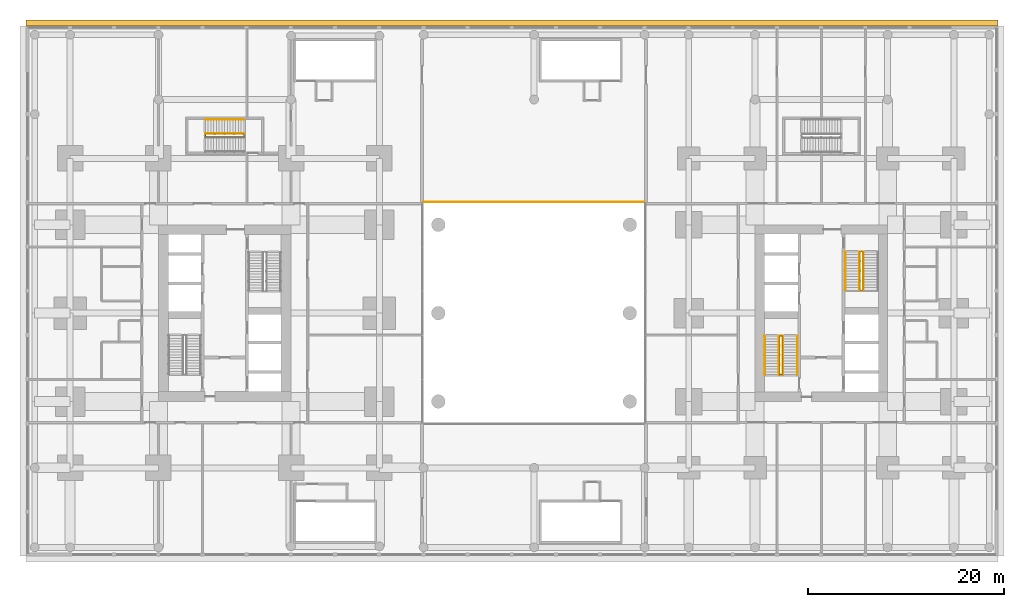
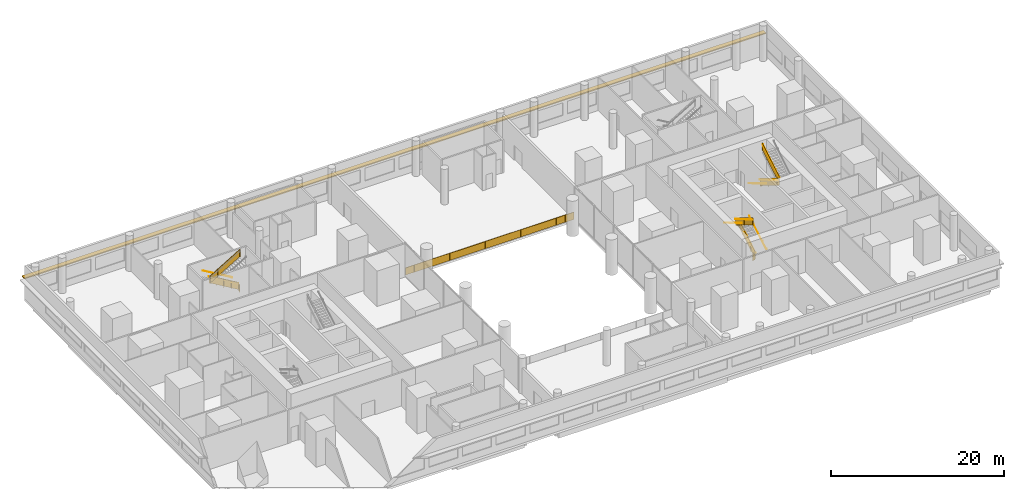
# One storey, part 19 of 20: 13 railings, 1 shading device.
"""IFC4 building model written with IfcOpenShell, lengths in metres."""

from ifc_helpers import new_model, si_unit, direction, frame, origin, origin_2d, place, context, subcontext, project, spatial, polyline, rectangle, circle, outline, extrude, material, layer, layer_set, type_object, element, save


model = new_model("IFC4")

# Units and contexts
model_context = context("Model", 3, precision=1e-05, world=origin(), true_north=direction((0.0, 1.0)))
body_context = subcontext(model_context, "Body", "Model", "MODEL_VIEW")
ifc_project = project(units=[si_unit("LENGTHUNIT", "METRE"), si_unit("AREAUNIT", "SQUARE_METRE"), si_unit("VOLUMEUNIT", "CUBIC_METRE"), si_unit("PLANEANGLEUNIT", "RADIAN"), si_unit("MASSUNIT", "GRAM", prefix="KILO")], contexts=[model_context])

# Site, building, storey
site_placement = place(None, origin())
site = spatial("IfcSite", under=ifc_project, at=site_placement, CompositionType="ELEMENT")
building_placement = place(site_placement, origin())
building = spatial("IfcBuilding", under=site, at=building_placement, Name="Namib Vertical Campus", CompositionType="ELEMENT")
storey_placement = place(building_placement, frame((0.0, 0.0, 16.0)))
storey = spatial("IfcBuildingStorey", under=building, at=storey_placement, Name="L03", CompositionType="ELEMENT", Elevation=16.0)

# Railings
ifc_material_1 = material(Name="Toughened glass balustrade", Category="glass")
railing_type_1 = type_object("IfcRailingType", Name="Edge guard 1100", PredefinedType="GUARDRAIL", material=ifc_material_1)
railing_1_placement = place(storey_placement, frame((40.5, 31.550048828125, 0.0)))
element("IfcRailing", 1, at=railing_1_placement, inside=storey, type_object=railing_type_1, Name="Atrium edge guard GR2 L03 N", PredefinedType="GUARDRAIL", context=body_context, shape_type="SweptSolid", body=[
    extrude(circle(Radius=0.02392578125, at=origin_2d()), frame((0.0, 0.0, 1.076171875), z_axis=(1.0, 0.0, 0.0), x_axis=(0.0, 1.0, 0.0)), (0.0, 0.0, 1.0), 22.5),
    extrude(outline(polyline([(0.02099609375, 0.050048828125), (22.47900390625, 0.050048828125), (22.47900390625, 1.052001953125), (0.02099609375, 1.052001953125), (0.02099609375, 0.050048828125)])), frame((0.0, 0.0107421875, 0.0), z_axis=(0.0, -1.0, 0.0), x_axis=(1.0, 0.0, 0.0)), (0.0, 0.0, 1.0), 0.021484375),
    extrude(circle(Radius=0.02099609375, at=origin_2d()), origin(), (0.0, 0.0, 1.0), 1.052001953125),
    extrude(circle(Radius=0.02099609375, at=origin_2d()), frame((1.184326171875, 0.0, 0.0)), (0.0, 0.0, 1.0), 1.052001953125),
    extrude(circle(Radius=0.02099609375, at=origin_2d()), frame((2.368408203125, 0.0, 0.0)), (0.0, 0.0, 1.0), 1.052001953125),
    extrude(circle(Radius=0.02099609375, at=origin_2d()), frame((3.552734375, 0.0, 0.0)), (0.0, 0.0, 1.0), 1.052001953125),
    extrude(circle(Radius=0.02099609375, at=origin_2d()), frame((4.73681640625, 0.0, 0.0)), (0.0, 0.0, 1.0), 1.052001953125),
    extrude(circle(Radius=0.02099609375, at=origin_2d()), frame((5.921142578125, 0.0, 0.0)), (0.0, 0.0, 1.0), 1.052001953125),
    extrude(circle(Radius=0.02099609375, at=origin_2d()), frame((7.105224609375, 0.0, 0.0)), (0.0, 0.0, 1.0), 1.052001953125),
    extrude(circle(Radius=0.02099609375, at=origin_2d()), frame((8.28955078125, 0.0, 0.0)), (0.0, 0.0, 1.0), 1.052001953125),
    extrude(circle(Radius=0.02099609375, at=origin_2d()), frame((9.4736328125, 0.0, 0.0)), (0.0, 0.0, 1.0), 1.052001953125),
    extrude(circle(Radius=0.02099609375, at=origin_2d()), frame((10.657958984375, 0.0, 0.0)), (0.0, 0.0, 1.0), 1.052001953125),
    extrude(circle(Radius=0.02099609375, at=origin_2d()), frame((11.842041015625, 0.0, 0.0)), (0.0, 0.0, 1.0), 1.052001953125),
    extrude(circle(Radius=0.02099609375, at=origin_2d()), frame((13.0263671875, 0.0, 0.0)), (0.0, 0.0, 1.0), 1.052001953125),
    extrude(circle(Radius=0.02099609375, at=origin_2d()), frame((14.21044921875, 0.0, 0.0)), (0.0, 0.0, 1.0), 1.052001953125),
    extrude(circle(Radius=0.02099609375, at=origin_2d()), frame((15.394775390625, 0.0, 0.0)), (0.0, 0.0, 1.0), 1.052001953125),
    extrude(circle(Radius=0.02099609375, at=origin_2d()), frame((16.578857421875, 0.0, 0.0)), (0.0, 0.0, 1.0), 1.052001953125),
    extrude(circle(Radius=0.02099609375, at=origin_2d()), frame((17.76318359375, 0.0, 0.0)), (0.0, 0.0, 1.0), 1.052001953125),
    extrude(circle(Radius=0.02099609375, at=origin_2d()), frame((18.947265625, 0.0, 0.0)), (0.0, 0.0, 1.0), 1.052001953125),
    extrude(circle(Radius=0.02099609375, at=origin_2d()), frame((20.131591796875, 0.0, 0.0)), (0.0, 0.0, 1.0), 1.052001953125),
    extrude(circle(Radius=0.02099609375, at=origin_2d()), frame((21.315673828125, 0.0, 0.0)), (0.0, 0.0, 1.0), 1.052001953125),
    extrude(circle(Radius=0.02099609375, at=origin_2d()), frame((22.5, 0.0, 0.0)), (0.0, 0.0, 1.0), 1.052001953125),
])
ifc_material_2 = material(Name="Steel handrail", Category="steel")
railing_type_2 = type_object("IfcRailingType", Name="Handrail 900", PredefinedType="HANDRAIL", material=ifc_material_2)
railing_2_placement = place(storey_placement, frame((78.550048828125, 14.0, 0.166748046875)))
element("IfcRailing", 2, at=railing_2_placement, inside=storey, type_object=railing_type_2, Name="Handrail HR1 B-S1 L03 1", PredefinedType="HANDRAIL", context=body_context, shape_type="SweptSolid", body=[
    extrude(circle(Radius=0.02392578125, at=origin_2d()), frame((0.0, 0.0, 0.8759765625), z_axis=(0.0, 0.859296244711, 0.511478214419), x_axis=(-1.0, 0.0, 0.0)), (0.0, 0.0, 1.0), 4.561767578125),
    extrude(circle(Radius=0.008056640625, at=origin_2d()), frame((0.0, 0.0, 0.8759765625), z_axis=(1.0, 0.0, 0.0), x_axis=(0.0, 0.0, 1.0)), (0.0, 0.0, 1.0), 0.050048828125),
    extrude(circle(Radius=0.008056640625, at=origin_2d()), frame((0.0, 0.97998046875, 1.459228515625), z_axis=(1.0, 0.0, 0.0), x_axis=(0.0, 0.0, 1.0)), (0.0, 0.0, 1.0), 0.050048828125),
    extrude(circle(Radius=0.008056640625, at=origin_2d()), frame((0.0, 1.9599609375, 2.04248046875), z_axis=(1.0, 0.0, 0.0), x_axis=(0.0, 0.0, 1.0)), (0.0, 0.0, 1.0), 0.050048828125),
    extrude(circle(Radius=0.008056640625, at=origin_2d()), frame((0.0, 2.93994140625, 2.625732421875), z_axis=(1.0, 0.0, 0.0), x_axis=(0.0, 0.0, 1.0)), (0.0, 0.0, 1.0), 0.050048828125),
    extrude(circle(Radius=0.008056640625, at=origin_2d()), frame((0.0, 3.919921875, 3.208984375), z_axis=(1.0, 0.0, 0.0), x_axis=(0.0, 0.0, 1.0)), (0.0, 0.0, 1.0), 0.050048828125),
])
railing_3_placement = place(storey_placement, frame((75.25, 17.919921875, 2.666748046875)))
element("IfcRailing", 3, at=railing_3_placement, inside=storey, type_object=railing_type_2, Name="Handrail HR1 B-S1 L03 2", PredefinedType="HANDRAIL", context=body_context, shape_type="SweptSolid", body=[
    extrude(circle(Radius=0.02392578125, at=origin_2d()), frame((0.0, 0.0, 0.8759765625), z_axis=(0.0, -0.859296244711, 0.511478214419), x_axis=(1.0, 0.0, 0.0)), (0.0, 0.0, 1.0), 4.561767578125),
    extrude(circle(Radius=0.008056640625, at=origin_2d()), frame((0.0, 0.0, 0.8759765625), z_axis=(-1.0, 0.0, 0.0), x_axis=(0.0, 0.0, 1.0)), (0.0, 0.0, 1.0), 0.050048828125),
    extrude(circle(Radius=0.008056640625, at=origin_2d()), frame((0.0, -0.97998046875, 1.459228515625), z_axis=(-1.0, 0.0, 0.0), x_axis=(0.0, 0.0, 1.0)), (0.0, 0.0, 1.0), 0.050048828125),
    extrude(circle(Radius=0.008056640625, at=origin_2d()), frame((0.0, -1.9599609375, 2.04248046875), z_axis=(-1.0, 0.0, 0.0), x_axis=(0.0, 0.0, 1.0)), (0.0, 0.0, 1.0), 0.050048828125),
    extrude(circle(Radius=0.008056640625, at=origin_2d()), frame((0.0, -2.93994140625, 2.625732421875), z_axis=(-1.0, 0.0, 0.0), x_axis=(0.0, 0.0, 1.0)), (0.0, 0.0, 1.0), 0.050048828125),
    extrude(circle(Radius=0.008056640625, at=origin_2d()), frame((0.0, -3.919921875, 3.208984375), z_axis=(-1.0, 0.0, 0.0), x_axis=(0.0, 0.0, 1.0)), (0.0, 0.0, 1.0), 0.050048828125),
])
railing_4_placement = place(storey_placement, frame((77.10009765625, 14.0, 0.166748046875)))
element("IfcRailing", 4, at=railing_4_placement, inside=storey, type_object=railing_type_2, Name="Handrail HR1 B-S1 L03 1 at the well", PredefinedType="HANDRAIL", context=body_context, shape_type="SweptSolid", body=[
    extrude(circle(Radius=0.02392578125, at=origin_2d()), frame((0.0, 0.0, 0.8759765625), z_axis=(0.0, 0.859296244711, 0.511478214419), x_axis=(-1.0, 0.0, 0.0)), (0.0, 0.0, 1.0), 4.561767578125),
    extrude(circle(Radius=0.008056640625, at=origin_2d()), frame((0.0, 0.0, 0.8759765625), z_axis=(-1.0, 0.0, 0.0), x_axis=(0.0, 0.0, 1.0)), (0.0, 0.0, 1.0), 0.0400390625),
    extrude(circle(Radius=0.008056640625, at=origin_2d()), frame((0.0, 0.97998046875, 1.459228515625), z_axis=(-1.0, 0.0, 0.0), x_axis=(0.0, 0.0, 1.0)), (0.0, 0.0, 1.0), 0.0400390625),
    extrude(circle(Radius=0.008056640625, at=origin_2d()), frame((0.0, 1.9599609375, 2.04248046875), z_axis=(-1.0, 0.0, 0.0), x_axis=(0.0, 0.0, 1.0)), (0.0, 0.0, 1.0), 0.0400390625),
    extrude(circle(Radius=0.008056640625, at=origin_2d()), frame((0.0, 2.93994140625, 2.625732421875), z_axis=(-1.0, 0.0, 0.0), x_axis=(0.0, 0.0, 1.0)), (0.0, 0.0, 1.0), 0.0400390625),
    extrude(circle(Radius=0.008056640625, at=origin_2d()), frame((0.0, 3.919921875, 3.208984375), z_axis=(-1.0, 0.0, 0.0), x_axis=(0.0, 0.0, 1.0)), (0.0, 0.0, 1.0), 0.0400390625),
])
railing_5_placement = place(storey_placement, frame((76.699951171875, 17.919921875, 2.666748046875)))
element("IfcRailing", 5, at=railing_5_placement, inside=storey, type_object=railing_type_2, Name="Handrail HR1 B-S1 L03 2 at the well", PredefinedType="HANDRAIL", context=body_context, shape_type="SweptSolid", body=[
    extrude(circle(Radius=0.02392578125, at=origin_2d()), frame((0.0, 0.0, 0.8759765625), z_axis=(0.0, -0.859296244711, 0.511478214419), x_axis=(1.0, 0.0, 0.0)), (0.0, 0.0, 1.0), 4.561767578125),
    extrude(circle(Radius=0.008056640625, at=origin_2d()), frame((0.0, 0.0, 0.8759765625), z_axis=(1.0, 0.0, 0.0), x_axis=(0.0, 0.0, 1.0)), (0.0, 0.0, 1.0), 0.0400390625),
    extrude(circle(Radius=0.008056640625, at=origin_2d()), frame((0.0, -0.97998046875, 1.459228515625), z_axis=(1.0, 0.0, 0.0), x_axis=(0.0, 0.0, 1.0)), (0.0, 0.0, 1.0), 0.0400390625),
    extrude(circle(Radius=0.008056640625, at=origin_2d()), frame((0.0, -1.9599609375, 2.04248046875), z_axis=(1.0, 0.0, 0.0), x_axis=(0.0, 0.0, 1.0)), (0.0, 0.0, 1.0), 0.0400390625),
    extrude(circle(Radius=0.008056640625, at=origin_2d()), frame((0.0, -2.93994140625, 2.625732421875), z_axis=(1.0, 0.0, 0.0), x_axis=(0.0, 0.0, 1.0)), (0.0, 0.0, 1.0), 0.0400390625),
    extrude(circle(Radius=0.008056640625, at=origin_2d()), frame((0.0, -3.919921875, 3.208984375), z_axis=(1.0, 0.0, 0.0), x_axis=(0.0, 0.0, 1.0)), (0.0, 0.0, 1.0), 0.0400390625),
])
railing_6_placement = place(storey_placement, frame((83.449951171875, 26.5, 0.166748046875)))
element("IfcRailing", 6, at=railing_6_placement, inside=storey, type_object=railing_type_2, Name="Handrail HR1 B-S2 L03 1", PredefinedType="HANDRAIL", context=body_context, shape_type="SweptSolid", body=[
    extrude(circle(Radius=0.02392578125, at=origin_2d()), frame((0.0, 0.0, 0.8759765625), z_axis=(0.0, -0.859296244711, 0.511478214419), x_axis=(1.0, 0.0, 0.0)), (0.0, 0.0, 1.0), 4.561767578125),
    extrude(circle(Radius=0.008056640625, at=origin_2d()), frame((0.0, 0.0, 0.8759765625), z_axis=(-1.0, 0.0, 0.0), x_axis=(0.0, 0.0, 1.0)), (0.0, 0.0, 1.0), 0.050048828125),
    extrude(circle(Radius=0.008056640625, at=origin_2d()), frame((0.0, -0.97998046875, 1.459228515625), z_axis=(-1.0, 0.0, 0.0), x_axis=(0.0, 0.0, 1.0)), (0.0, 0.0, 1.0), 0.050048828125),
    extrude(circle(Radius=0.008056640625, at=origin_2d()), frame((0.0, -1.9599609375, 2.04248046875), z_axis=(-1.0, 0.0, 0.0), x_axis=(0.0, 0.0, 1.0)), (0.0, 0.0, 1.0), 0.050048828125),
    extrude(circle(Radius=0.008056640625, at=origin_2d()), frame((0.0, -2.93994140625, 2.625732421875), z_axis=(-1.0, 0.0, 0.0), x_axis=(0.0, 0.0, 1.0)), (0.0, 0.0, 1.0), 0.050048828125),
    extrude(circle(Radius=0.008056640625, at=origin_2d()), frame((0.0, -3.919921875, 3.208984375), z_axis=(-1.0, 0.0, 0.0), x_axis=(0.0, 0.0, 1.0)), (0.0, 0.0, 1.0), 0.050048828125),
])
railing_7_placement = place(storey_placement, frame((84.89990234375, 26.5, 0.166748046875)))
element("IfcRailing", 7, at=railing_7_placement, inside=storey, type_object=railing_type_2, Name="Handrail HR1 B-S2 L03 1 at the well", PredefinedType="HANDRAIL", context=body_context, shape_type="SweptSolid", body=[
    extrude(circle(Radius=0.02392578125, at=origin_2d()), frame((0.0, 0.0, 0.8759765625), z_axis=(0.0, -0.859296244711, 0.511478214419), x_axis=(1.0, 0.0, 0.0)), (0.0, 0.0, 1.0), 4.561767578125),
    extrude(circle(Radius=0.008056640625, at=origin_2d()), frame((0.0, 0.0, 0.8759765625), z_axis=(1.0, 0.0, 0.0), x_axis=(0.0, 0.0, 1.0)), (0.0, 0.0, 1.0), 0.0400390625),
    extrude(circle(Radius=0.008056640625, at=origin_2d()), frame((0.0, -0.97998046875, 1.459228515625), z_axis=(1.0, 0.0, 0.0), x_axis=(0.0, 0.0, 1.0)), (0.0, 0.0, 1.0), 0.0400390625),
    extrude(circle(Radius=0.008056640625, at=origin_2d()), frame((0.0, -1.9599609375, 2.04248046875), z_axis=(1.0, 0.0, 0.0), x_axis=(0.0, 0.0, 1.0)), (0.0, 0.0, 1.0), 0.0400390625),
    extrude(circle(Radius=0.008056640625, at=origin_2d()), frame((0.0, -2.93994140625, 2.625732421875), z_axis=(1.0, 0.0, 0.0), x_axis=(0.0, 0.0, 1.0)), (0.0, 0.0, 1.0), 0.0400390625),
    extrude(circle(Radius=0.008056640625, at=origin_2d()), frame((0.0, -3.919921875, 3.208984375), z_axis=(1.0, 0.0, 0.0), x_axis=(0.0, 0.0, 1.0)), (0.0, 0.0, 1.0), 0.0400390625),
])
railing_8_placement = place(storey_placement, frame((85.300048828125, 22.580078125, 2.666748046875)))
element("IfcRailing", 8, at=railing_8_placement, inside=storey, type_object=railing_type_2, Name="Handrail HR1 B-S2 L03 2 at the well", PredefinedType="HANDRAIL", context=body_context, shape_type="SweptSolid", body=[
    extrude(circle(Radius=0.02392578125, at=origin_2d()), frame((0.0, 0.0, 0.8759765625), z_axis=(0.0, 0.859296244711, 0.511478214419), x_axis=(-1.0, 0.0, 0.0)), (0.0, 0.0, 1.0), 4.561767578125),
    extrude(circle(Radius=0.008056640625, at=origin_2d()), frame((0.0, 0.0, 0.8759765625), z_axis=(-1.0, 0.0, 0.0), x_axis=(0.0, 0.0, 1.0)), (0.0, 0.0, 1.0), 0.0400390625),
    extrude(circle(Radius=0.008056640625, at=origin_2d()), frame((0.0, 0.97998046875, 1.459228515625), z_axis=(-1.0, 0.0, 0.0), x_axis=(0.0, 0.0, 1.0)), (0.0, 0.0, 1.0), 0.0400390625),
    extrude(circle(Radius=0.008056640625, at=origin_2d()), frame((0.0, 1.9599609375, 2.04248046875), z_axis=(-1.0, 0.0, 0.0), x_axis=(0.0, 0.0, 1.0)), (0.0, 0.0, 1.0), 0.0400390625),
    extrude(circle(Radius=0.008056640625, at=origin_2d()), frame((0.0, 2.93994140625, 2.625732421875), z_axis=(-1.0, 0.0, 0.0), x_axis=(0.0, 0.0, 1.0)), (0.0, 0.0, 1.0), 0.0400390625),
    extrude(circle(Radius=0.008056640625, at=origin_2d()), frame((0.0, 3.919921875, 3.208984375), z_axis=(-1.0, 0.0, 0.0), x_axis=(0.0, 0.0, 1.0)), (0.0, 0.0, 1.0), 0.0400390625),
])
railing_9_placement = place(storey_placement, frame((22.199951171875, 39.949951171875, 0.166748046875)))
element("IfcRailing", 9, at=railing_9_placement, inside=storey, type_object=railing_type_2, Name="Handrail HR1 A-S3 L03 1", PredefinedType="HANDRAIL", context=body_context, shape_type="SweptSolid", body=[
    extrude(circle(Radius=0.02392578125, at=origin_2d()), frame((0.0, 0.0, 0.8759765625), z_axis=(-0.859296244711, 0.0, 0.511478214419), x_axis=(0.0, -1.0, 0.0)), (0.0, 0.0, 1.0), 4.561767578125),
    extrude(circle(Radius=0.008056640625, at=origin_2d()), frame((0.0, 0.0, 0.8759765625), z_axis=(0.0, 1.0, 0.0), x_axis=(0.0, 0.0, 1.0)), (0.0, 0.0, 1.0), 0.050048828125),
    extrude(circle(Radius=0.008056640625, at=origin_2d()), frame((-0.97998046875, 0.0, 1.459228515625), z_axis=(0.0, 1.0, 0.0), x_axis=(0.0, 0.0, 1.0)), (0.0, 0.0, 1.0), 0.050048828125),
    extrude(circle(Radius=0.008056640625, at=origin_2d()), frame((-1.9599609375, 0.0, 2.04248046875), z_axis=(0.0, 1.0, 0.0), x_axis=(0.0, 0.0, 1.0)), (0.0, 0.0, 1.0), 0.050048828125),
    extrude(circle(Radius=0.008056640625, at=origin_2d()), frame((-2.93994140625, 0.0, 2.625732421875), z_axis=(0.0, 1.0, 0.0), x_axis=(0.0, 0.0, 1.0)), (0.0, 0.0, 1.0), 0.050048828125),
    extrude(circle(Radius=0.008056640625, at=origin_2d()), frame((-3.919921875, 0.0, 3.208984375), z_axis=(0.0, 1.0, 0.0), x_axis=(0.0, 0.0, 1.0)), (0.0, 0.0, 1.0), 0.050048828125),
])
railing_10_placement = place(storey_placement, frame((22.199951171875, 38.52490234375, 0.166748046875)))
element("IfcRailing", 10, at=railing_10_placement, inside=storey, type_object=railing_type_2, Name="Handrail HR1 A-S3 L03 1 at the well", PredefinedType="HANDRAIL", context=body_context, shape_type="SweptSolid", body=[
    extrude(circle(Radius=0.02392578125, at=origin_2d()), frame((0.0, 0.0, 0.8759765625), z_axis=(-0.859296244711, 0.0, 0.511478214419), x_axis=(0.0, -1.0, 0.0)), (0.0, 0.0, 1.0), 4.561767578125),
    extrude(circle(Radius=0.008056640625, at=origin_2d()), frame((0.0, 0.0, 0.8759765625), z_axis=(0.0, -1.0, 0.0), x_axis=(0.0, 0.0, 1.0)), (0.0, 0.0, 1.0), 0.0400390625),
    extrude(circle(Radius=0.008056640625, at=origin_2d()), frame((-0.97998046875, 0.0, 1.459228515625), z_axis=(0.0, -1.0, 0.0), x_axis=(0.0, 0.0, 1.0)), (0.0, 0.0, 1.0), 0.0400390625),
    extrude(circle(Radius=0.008056640625, at=origin_2d()), frame((-1.9599609375, 0.0, 2.04248046875), z_axis=(0.0, -1.0, 0.0), x_axis=(0.0, 0.0, 1.0)), (0.0, 0.0, 1.0), 0.0400390625),
    extrude(circle(Radius=0.008056640625, at=origin_2d()), frame((-2.93994140625, 0.0, 2.625732421875), z_axis=(0.0, -1.0, 0.0), x_axis=(0.0, 0.0, 1.0)), (0.0, 0.0, 1.0), 0.0400390625),
    extrude(circle(Radius=0.008056640625, at=origin_2d()), frame((-3.919921875, 0.0, 3.208984375), z_axis=(0.0, -1.0, 0.0), x_axis=(0.0, 0.0, 1.0)), (0.0, 0.0, 1.0), 0.0400390625),
])
ifc_material_3 = material(Name="Steel balustrade", Category="steel")
railing_type_3 = type_object("IfcRailingType", Name="Stair guard 1100", PredefinedType="GUARDRAIL", material=ifc_material_3)
railing_11_placement = place(storey_placement, frame((76.75, 14.0, 0.0)))
element("IfcRailing", 11, at=railing_11_placement, inside=storey, type_object=railing_type_3, Name="Stair guard GR1 B-S1 L03", PredefinedType="GUARDRAIL", context=body_context, shape_type="SweptSolid", body=[
    extrude(circle(Radius=0.02392578125, at=origin_2d()), frame((0.0, 0.0, 1.076171875), z_axis=(1.0, 0.0, 0.0), x_axis=(0.0, 1.0, 0.0)), (0.0, 0.0, 1.0), 0.300048828125),
    extrude(outline(polyline([(0.02099609375, 0.050048828125), (0.279052734375, 0.050048828125), (0.279052734375, 1.052001953125), (0.02099609375, 1.052001953125), (0.02099609375, 0.050048828125)])), frame((0.0, 0.010009765625, 0.0), z_axis=(0.0, -1.0, 0.0), x_axis=(1.0, 0.0, 0.0)), (0.0, 0.0, 1.0), 0.02001953125),
    extrude(circle(Radius=0.02392578125, at=origin_2d()), frame((0.300048828125, 0.0, 1.076171875), z_axis=(0.0, 0.0, 1.0), x_axis=(1.0, 0.0, 0.0)), (0.0, 0.0, 1.0), 0.166748046875),
    extrude(circle(Radius=0.02392578125, at=origin_2d()), frame((0.300048828125, 0.0, 1.24267578125), z_axis=(0.0, 0.859296244711, 0.511478214419), x_axis=(-1.0, 0.0, 0.0)), (0.0, 0.0, 1.0), 4.561767578125),
    extrude(outline(polyline([(0.02099609375, 0.0625), (3.89892578125, 2.370849609375), (3.89892578125, 3.372802734375), (0.02099609375, 1.064453125), (0.02099609375, 0.0625)])), frame((0.2900390625, 0.0, 0.166748046875), z_axis=(1.0, 0.0, 0.0), x_axis=(0.0, 1.0, 0.0)), (0.0, 0.0, 1.0), 0.02001953125),
    extrude(circle(Radius=0.02392578125, at=origin_2d()), frame((0.300048828125, 3.919921875, 3.576171875), z_axis=(-1.0, 0.0, 0.0), x_axis=(0.0, -1.0, 0.0)), (0.0, 0.0, 1.0), 0.300048828125),
    extrude(outline(polyline([(0.02099609375, 0.050048828125), (0.279052734375, 0.050048828125), (0.279052734375, 1.052001953125), (0.02099609375, 1.052001953125), (0.02099609375, 0.050048828125)])), frame((0.300048828125, 3.909912109375, 2.5), z_axis=(0.0, 1.0, 0.0), x_axis=(-1.0, 0.0, 0.0)), (0.0, 0.0, 1.0), 0.02001953125),
    extrude(circle(Radius=0.02392578125, at=origin_2d()), frame((0.0, 3.919921875, 3.576171875), z_axis=(0.0, 0.0, 1.0), x_axis=(1.0, 0.0, 0.0)), (0.0, 0.0, 1.0), 0.166748046875),
    extrude(circle(Radius=0.02392578125, at=origin_2d()), frame((0.0, 3.919921875, 3.74267578125), z_axis=(0.0, -0.859296244711, 0.511478214419), x_axis=(1.0, 0.0, 0.0)), (0.0, 0.0, 1.0), 4.561767578125),
    extrude(outline(polyline([(0.02099609375, 0.0625), (3.89892578125, 2.370849609375), (3.89892578125, 3.372802734375), (0.02099609375, 1.064453125), (0.02099609375, 0.0625)])), frame((0.010009765625, 3.919921875, 2.666748046875), z_axis=(-1.0, 0.0, 0.0), x_axis=(0.0, -1.0, 0.0)), (0.0, 0.0, 1.0), 0.02001953125),
    extrude(circle(Radius=0.02392578125, at=origin_2d()), frame((0.0, 0.0, 6.076171875), z_axis=(0.0, -1.0, 0.0), x_axis=(1.0, 0.0, 0.0)), (0.0, 0.0, 1.0), 0.050048828125),
    extrude(outline(polyline([(0.02099609375, 0.050048828125), (0.029052734375, 0.050048828125), (0.029052734375, 1.052001953125), (0.02099609375, 1.052001953125), (0.02099609375, 0.050048828125)])), frame((0.010009765625, 0.0, 5.0), z_axis=(-1.0, 0.0, 0.0), x_axis=(0.0, -1.0, 0.0)), (0.0, 0.0, 1.0), 0.02001953125),
    extrude(circle(Radius=0.02099609375, at=origin_2d()), origin(), (0.0, 0.0, 1.0), 1.052001953125),
    extrude(circle(Radius=0.02099609375, at=origin_2d()), frame((0.300048828125, 0.0, 0.166748046875)), (0.0, 0.0, 1.0), 1.052001953125),
    extrude(circle(Radius=0.02099609375, at=origin_2d()), frame((0.300048828125, 0.97998046875, 0.666748046875)), (0.0, 0.0, 1.0), 1.13525390625),
    extrude(circle(Radius=0.02099609375, at=origin_2d()), frame((0.300048828125, 1.9599609375, 1.166748046875)), (0.0, 0.0, 1.0), 1.218505859375),
    extrude(circle(Radius=0.02099609375, at=origin_2d()), frame((0.300048828125, 2.93994140625, 1.83349609375)), (0.0, 0.0, 1.0), 1.13525390625),
    extrude(circle(Radius=0.02099609375, at=origin_2d()), frame((0.300048828125, 3.919921875, 2.5)), (0.0, 0.0, 1.0), 1.052001953125),
    extrude(circle(Radius=0.02099609375, at=origin_2d()), frame((0.0, 3.919921875, 2.666748046875)), (0.0, 0.0, 1.0), 1.052001953125),
    extrude(circle(Radius=0.02099609375, at=origin_2d()), frame((0.0, 2.93994140625, 3.166748046875)), (0.0, 0.0, 1.0), 1.13525390625),
    extrude(circle(Radius=0.02099609375, at=origin_2d()), frame((0.0, 1.9599609375, 3.666748046875)), (0.0, 0.0, 1.0), 1.218505859375),
    extrude(circle(Radius=0.02099609375, at=origin_2d()), frame((0.0, 0.97998046875, 4.33349609375)), (0.0, 0.0, 1.0), 1.13525390625),
    extrude(circle(Radius=0.02099609375, at=origin_2d()), frame((0.0, 0.0, 5.0)), (0.0, 0.0, 1.0), 1.052001953125),
    extrude(circle(Radius=0.02099609375, at=origin_2d()), frame((0.0, -0.050048828125, 5.0)), (0.0, 0.0, 1.0), 1.052001953125),
])
railing_12_placement = place(storey_placement, frame((85.25, 26.5, 0.0)))
element("IfcRailing", 12, at=railing_12_placement, inside=storey, type_object=railing_type_3, Name="Stair guard GR1 B-S2 L03", PredefinedType="GUARDRAIL", context=body_context, shape_type="SweptSolid", body=[
    extrude(circle(Radius=0.02392578125, at=origin_2d()), frame((0.0, 0.0, 1.076171875), z_axis=(-1.0, 0.0, 0.0), x_axis=(0.0, -1.0, 0.0)), (0.0, 0.0, 1.0), 0.300048828125),
    extrude(outline(polyline([(0.02099609375, 0.050048828125), (0.279052734375, 0.050048828125), (0.279052734375, 1.052001953125), (0.02099609375, 1.052001953125), (0.02099609375, 0.050048828125)])), frame((0.0, -0.010009765625, 0.0), z_axis=(0.0, 1.0, 0.0), x_axis=(-1.0, 0.0, 0.0)), (0.0, 0.0, 1.0), 0.02001953125),
    extrude(circle(Radius=0.02392578125, at=origin_2d()), frame((-0.300048828125, 0.0, 1.076171875), z_axis=(0.0, 0.0, 1.0), x_axis=(1.0, 0.0, 0.0)), (0.0, 0.0, 1.0), 0.166748046875),
    extrude(circle(Radius=0.02392578125, at=origin_2d()), frame((-0.300048828125, 0.0, 1.24267578125), z_axis=(0.0, -0.859296244711, 0.511478214419), x_axis=(1.0, 0.0, 0.0)), (0.0, 0.0, 1.0), 4.561767578125),
    extrude(outline(polyline([(0.02099609375, 0.0625), (3.89892578125, 2.370849609375), (3.89892578125, 3.372802734375), (0.02099609375, 1.064453125), (0.02099609375, 0.0625)])), frame((-0.2900390625, 0.0, 0.166748046875), z_axis=(-1.0, 0.0, 0.0), x_axis=(0.0, -1.0, 0.0)), (0.0, 0.0, 1.0), 0.02001953125),
    extrude(circle(Radius=0.02392578125, at=origin_2d()), frame((-0.300048828125, -3.919921875, 3.576171875), z_axis=(1.0, 0.0, 0.0), x_axis=(0.0, 1.0, 0.0)), (0.0, 0.0, 1.0), 0.300048828125),
    extrude(outline(polyline([(0.02099609375, 0.050048828125), (0.279052734375, 0.050048828125), (0.279052734375, 1.052001953125), (0.02099609375, 1.052001953125), (0.02099609375, 0.050048828125)])), frame((-0.300048828125, -3.909912109375, 2.5), z_axis=(0.0, -1.0, 0.0), x_axis=(1.0, 0.0, 0.0)), (0.0, 0.0, 1.0), 0.02001953125),
    extrude(circle(Radius=0.02392578125, at=origin_2d()), frame((0.0, -3.919921875, 3.576171875), z_axis=(0.0, 0.0, 1.0), x_axis=(1.0, 0.0, 0.0)), (0.0, 0.0, 1.0), 0.166748046875),
    extrude(circle(Radius=0.02392578125, at=origin_2d()), frame((0.0, -3.919921875, 3.74267578125), z_axis=(0.0, 0.859296244711, 0.511478214419), x_axis=(-1.0, 0.0, 0.0)), (0.0, 0.0, 1.0), 4.561767578125),
    extrude(outline(polyline([(0.02099609375, 0.0625), (3.89892578125, 2.370849609375), (3.89892578125, 3.372802734375), (0.02099609375, 1.064453125), (0.02099609375, 0.0625)])), frame((-0.010009765625, -3.919921875, 2.666748046875), z_axis=(1.0, 0.0, 0.0), x_axis=(0.0, 1.0, 0.0)), (0.0, 0.0, 1.0), 0.02001953125),
    extrude(circle(Radius=0.02392578125, at=origin_2d()), frame((0.0, 0.0, 6.076171875), z_axis=(0.0, 1.0, 0.0), x_axis=(-1.0, 0.0, 0.0)), (0.0, 0.0, 1.0), 0.050048828125),
    extrude(outline(polyline([(0.02099609375, 0.050048828125), (0.029052734375, 0.050048828125), (0.029052734375, 1.052001953125), (0.02099609375, 1.052001953125), (0.02099609375, 0.050048828125)])), frame((-0.010009765625, 0.0, 5.0), z_axis=(1.0, 0.0, 0.0), x_axis=(0.0, 1.0, 0.0)), (0.0, 0.0, 1.0), 0.02001953125),
    extrude(circle(Radius=0.02099609375, at=origin_2d()), origin(), (0.0, 0.0, 1.0), 1.052001953125),
    extrude(circle(Radius=0.02099609375, at=origin_2d()), frame((-0.300048828125, 0.0, 0.166748046875)), (0.0, 0.0, 1.0), 1.052001953125),
    extrude(circle(Radius=0.02099609375, at=origin_2d()), frame((-0.300048828125, -0.97998046875, 0.666748046875)), (0.0, 0.0, 1.0), 1.13525390625),
    extrude(circle(Radius=0.02099609375, at=origin_2d()), frame((-0.300048828125, -1.9599609375, 1.166748046875)), (0.0, 0.0, 1.0), 1.218505859375),
    extrude(circle(Radius=0.02099609375, at=origin_2d()), frame((-0.300048828125, -2.93994140625, 1.83349609375)), (0.0, 0.0, 1.0), 1.13525390625),
    extrude(circle(Radius=0.02099609375, at=origin_2d()), frame((-0.300048828125, -3.919921875, 2.5)), (0.0, 0.0, 1.0), 1.052001953125),
    extrude(circle(Radius=0.02099609375, at=origin_2d()), frame((0.0, -3.919921875, 2.666748046875)), (0.0, 0.0, 1.0), 1.052001953125),
    extrude(circle(Radius=0.02099609375, at=origin_2d()), frame((0.0, -2.93994140625, 3.166748046875)), (0.0, 0.0, 1.0), 1.13525390625),
    extrude(circle(Radius=0.02099609375, at=origin_2d()), frame((0.0, -1.9599609375, 3.666748046875)), (0.0, 0.0, 1.0), 1.218505859375),
    extrude(circle(Radius=0.02099609375, at=origin_2d()), frame((0.0, -0.97998046875, 4.33349609375)), (0.0, 0.0, 1.0), 1.13525390625),
    extrude(circle(Radius=0.02099609375, at=origin_2d()), frame((0.0, 0.0, 5.0)), (0.0, 0.0, 1.0), 1.052001953125),
    extrude(circle(Radius=0.02099609375, at=origin_2d()), frame((0.0, 0.050048828125, 5.0)), (0.0, 0.0, 1.0), 1.052001953125),
])
railing_13_placement = place(storey_placement, frame((22.199951171875, 38.175048828125, 0.0)))
element("IfcRailing", 13, at=railing_13_placement, inside=storey, type_object=railing_type_3, Name="Stair guard GR1 A-S3 L03", PredefinedType="GUARDRAIL", context=body_context, shape_type="SweptSolid", body=[
    extrude(circle(Radius=0.02392578125, at=origin_2d()), frame((0.0, 0.0, 1.076171875), z_axis=(0.0, 1.0, 0.0), x_axis=(-1.0, 0.0, 0.0)), (0.0, 0.0, 1.0), 0.300048828125),
    extrude(outline(polyline([(0.02099609375, 0.050048828125), (0.279052734375, 0.050048828125), (0.279052734375, 1.052001953125), (0.02099609375, 1.052001953125), (0.02099609375, 0.050048828125)])), frame((-0.010009765625, 0.0, 0.0), z_axis=(1.0, 0.0, 0.0), x_axis=(0.0, 1.0, 0.0)), (0.0, 0.0, 1.0), 0.02001953125),
    extrude(circle(Radius=0.02392578125, at=origin_2d()), frame((0.0, 0.300048828125, 1.076171875), z_axis=(0.0, 0.0, 1.0), x_axis=(1.0, 0.0, 0.0)), (0.0, 0.0, 1.0), 0.166748046875),
    extrude(circle(Radius=0.02392578125, at=origin_2d()), frame((0.0, 0.300048828125, 1.24267578125), z_axis=(-0.859296244711, 0.0, 0.511478214419), x_axis=(0.0, -1.0, 0.0)), (0.0, 0.0, 1.0), 4.561767578125),
    extrude(outline(polyline([(0.02099609375, 0.0625), (3.89892578125, 2.370849609375), (3.89892578125, 3.372802734375), (0.02099609375, 1.064453125), (0.02099609375, 0.0625)])), frame((0.0, 0.2900390625, 0.166748046875), z_axis=(0.0, 1.0, 0.0), x_axis=(-1.0, 0.0, 0.0)), (0.0, 0.0, 1.0), 0.02001953125),
    extrude(circle(Radius=0.02392578125, at=origin_2d()), frame((-3.919921875, 0.300048828125, 3.576171875), z_axis=(0.0, -1.0, 0.0), x_axis=(1.0, 0.0, 0.0)), (0.0, 0.0, 1.0), 0.300048828125),
    extrude(outline(polyline([(0.02099609375, 0.050048828125), (0.279052734375, 0.050048828125), (0.279052734375, 1.052001953125), (0.02099609375, 1.052001953125), (0.02099609375, 0.050048828125)])), frame((-3.909912109375, 0.300048828125, 2.5), z_axis=(-1.0, 0.0, 0.0), x_axis=(0.0, -1.0, 0.0)), (0.0, 0.0, 1.0), 0.02001953125),
    extrude(circle(Radius=0.02392578125, at=origin_2d()), frame((-3.919921875, 0.0, 3.576171875), z_axis=(0.0, 0.0, 1.0), x_axis=(1.0, 0.0, 0.0)), (0.0, 0.0, 1.0), 0.166748046875),
    extrude(circle(Radius=0.02392578125, at=origin_2d()), frame((-3.919921875, 0.0, 3.74267578125), z_axis=(0.859296244711, 0.0, 0.511478214419), x_axis=(0.0, 1.0, 0.0)), (0.0, 0.0, 1.0), 4.561767578125),
    extrude(outline(polyline([(0.02099609375, 0.0625), (3.89892578125, 2.370849609375), (3.89892578125, 3.372802734375), (0.02099609375, 1.064453125), (0.02099609375, 0.0625)])), frame((-3.919921875, 0.010009765625, 2.666748046875), z_axis=(0.0, -1.0, 0.0), x_axis=(1.0, 0.0, 0.0)), (0.0, 0.0, 1.0), 0.02001953125),
    extrude(circle(Radius=0.02392578125, at=origin_2d()), frame((0.0, 0.0, 6.076171875), z_axis=(1.0, 0.0, 0.0), x_axis=(0.0, 1.0, 0.0)), (0.0, 0.0, 1.0), 0.050048828125),
    extrude(outline(polyline([(0.02099609375, 0.050048828125), (0.029052734375, 0.050048828125), (0.029052734375, 1.052001953125), (0.02099609375, 1.052001953125), (0.02099609375, 0.050048828125)])), frame((0.0, 0.010009765625, 5.0), z_axis=(0.0, -1.0, 0.0), x_axis=(1.0, 0.0, 0.0)), (0.0, 0.0, 1.0), 0.02001953125),
    extrude(circle(Radius=0.02099609375, at=origin_2d()), origin(), (0.0, 0.0, 1.0), 1.052001953125),
    extrude(circle(Radius=0.02099609375, at=origin_2d()), frame((0.0, 0.300048828125, 0.166748046875)), (0.0, 0.0, 1.0), 1.052001953125),
    extrude(circle(Radius=0.02099609375, at=origin_2d()), frame((-0.97998046875, 0.300048828125, 0.666748046875)), (0.0, 0.0, 1.0), 1.13525390625),
    extrude(circle(Radius=0.02099609375, at=origin_2d()), frame((-1.9599609375, 0.300048828125, 1.166748046875)), (0.0, 0.0, 1.0), 1.218505859375),
    extrude(circle(Radius=0.02099609375, at=origin_2d()), frame((-2.93994140625, 0.300048828125, 1.83349609375)), (0.0, 0.0, 1.0), 1.13525390625),
    extrude(circle(Radius=0.02099609375, at=origin_2d()), frame((-3.919921875, 0.300048828125, 2.5)), (0.0, 0.0, 1.0), 1.052001953125),
    extrude(circle(Radius=0.02099609375, at=origin_2d()), frame((-3.919921875, 0.0, 2.666748046875)), (0.0, 0.0, 1.0), 1.052001953125),
    extrude(circle(Radius=0.02099609375, at=origin_2d()), frame((-2.93994140625, 0.0, 3.166748046875)), (0.0, 0.0, 1.0), 1.13525390625),
    extrude(circle(Radius=0.02099609375, at=origin_2d()), frame((-1.9599609375, 0.0, 3.666748046875)), (0.0, 0.0, 1.0), 1.218505859375),
    extrude(circle(Radius=0.02099609375, at=origin_2d()), frame((-0.97998046875, 0.0, 4.33349609375)), (0.0, 0.0, 1.0), 1.13525390625),
    extrude(circle(Radius=0.02099609375, at=origin_2d()), frame((0.0, 0.0, 5.0)), (0.0, 0.0, 1.0), 1.052001953125),
    extrude(circle(Radius=0.02099609375, at=origin_2d()), frame((0.050048828125, 0.0, 5.0)), (0.0, 0.0, 1.0), 1.052001953125),
])

# Shading device
ifc_material_4 = material(Name="Concrete C40/50 precast", Category="concrete")
ifc_layer = layer(ifc_material_4, 0.14990234375)
ifc_layer_set = layer_set([ifc_layer], Name="Concrete C40/50 precast")
shading_device_type = type_object("IfcShadingDeviceType", Name="Sunshade hood 600", PredefinedType="SHUTTER", material=ifc_layer_set)
shading_device_placement = place(storey_placement, frame((49.5, 49.800048828125, 2.75), z_axis=(0.0, 0.0, 1.0), x_axis=(-1.0, 0.0, 0.0)))
element("IfcShadingDevice", 14, at=shading_device_placement, inside=storey, type_object=shading_device_type, Name="Sunshade SH3 L03 3", PredefinedType="SHUTTER", context=body_context, shape_type="SweptSolid", body=[
    extrude(rectangle(XDim=99.0, YDim=0.60009765625, at=origin_2d()), origin(), (0.0, 0.0, 1.0), 0.14990234375),
])

save(model, "model.ifc")
